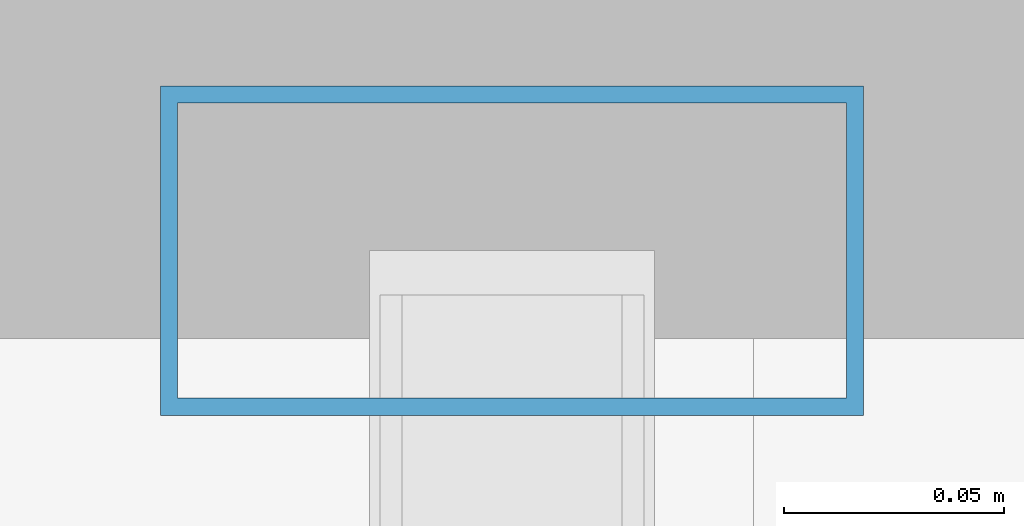
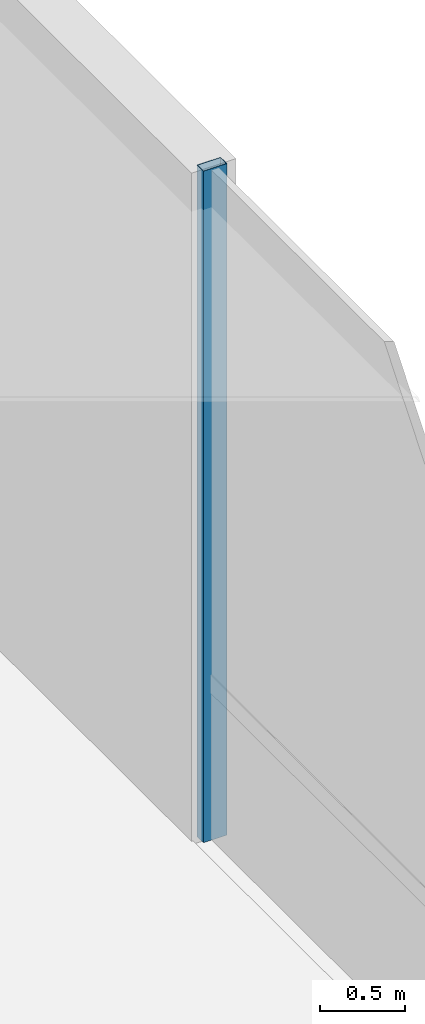
# One storey, part 24 of 39: 1 member, 1 element without a shape of its own.
"""IFC4 building model written with IfcOpenShell, lengths in metres."""

from ifc_helpers import new_model, si_unit, direction, frame, origin, origin_2d, place, context, subcontext, project, spatial, hollow_rectangle, extrude, source, transform, mapped, material, material_profile, profile_set, type_object, element, aggregate, save


model = new_model("IFC4")

# Units and contexts
model_context = context("Model", 3, precision=1e-05, world=origin(), true_north=direction((0.0, 1.0)))
body_context = subcontext(model_context, "Body", "Model", "MODEL_VIEW")
ifc_project = project(units=[si_unit("LENGTHUNIT", "METRE"), si_unit("AREAUNIT", "SQUARE_METRE"), si_unit("VOLUMEUNIT", "CUBIC_METRE"), si_unit("PLANEANGLEUNIT", "RADIAN"), si_unit("MASSUNIT", "GRAM", prefix="KILO")], contexts=[model_context])

# Site, building, storey
site_placement = place(None, origin())
site = spatial("IfcSite", under=ifc_project, at=site_placement, CompositionType="ELEMENT")
building_placement = place(site_placement, origin())
building = spatial("IfcBuilding", under=site, at=building_placement, Name="Valdorenza Pilgrim Sanctuary Tower", CompositionType="ELEMENT")
storey_placement = place(building_placement, frame((0.0, 0.0, 15.60009765625)))
storey = spatial("IfcBuildingStorey", under=building, at=storey_placement, Name="L03", CompositionType="ELEMENT", Elevation=15.60009765625)

# Curtain wall, member
ifc_material_1 = material(Name="Curtain-wall IGU glazing", Category="glass")
curtain_wall_type = type_object("IfcCurtainWallType", Name="CW-SYS-01", PredefinedType="NOTDEFINED", material=ifc_material_1)
curtain_wall_placement = place(storey_placement, origin())
curtain_wall = element("IfcCurtainWall", 1, at=curtain_wall_placement, inside=storey, type_object=curtain_wall_type, Name="L03 Curtain Wall CW-POD-L03-EE", PredefinedType="NOTDEFINED")
ifc_material_2 = material(Name="Anodised aluminium AW-6060", Category="aluminium")
ifc_material_profile = material_profile(ifc_material_2, hollow_rectangle(XDim=0.074951171875, YDim=0.159912109375, WallThickness=0.00390625, at=origin_2d()), Name="ALU-M 160x75x4")
ifc_profile_set = profile_set([ifc_material_profile], Name="Anodised aluminium AW-6060")
member_type = type_object("IfcMemberType", Name="CW-MUL-01", PredefinedType="MULLION", material=ifc_profile_set)
shared_shape = source(origin(), body_context, "Body", "SweptSolid", [
    extrude(hollow_rectangle(XDim=0.074951171875, YDim=0.159912109375, WallThickness=0.00390625, at=origin_2d()), origin(), (0.0, 0.0, 1.0), 4.7998046875),
])
member_placement = place(storey_placement, frame((33.85009765625, 10.0, 0.0), z_axis=(0.0, 0.0, 1.0), x_axis=(0.0, 1.0, 0.0)))
member = element("IfcMember", 2, at=member_placement, type_object=member_type, Name="CW-POD-L03-EE Mullion 4", PredefinedType="MULLION", context=body_context, shape_type="MappedRepresentation", body=[
    mapped(shared_shape, transform((0.0, 0.0, 0.0), x_axis=(1.0, 0.0, 0.0), y_axis=(0.0, 1.0, 0.0), z_axis=(0.0, 0.0, 1.0), scale=1.0)),
])
aggregate(curtain_wall, [member])

save(model, "model.ifc")
